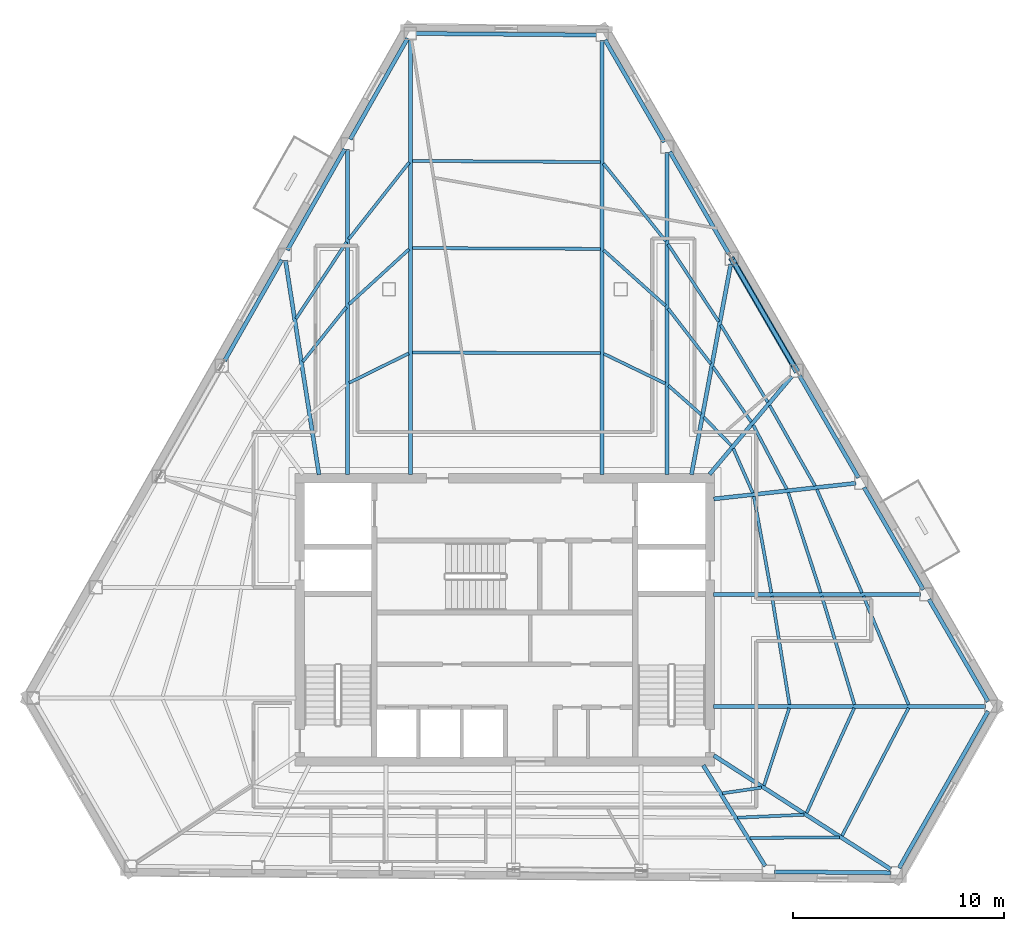
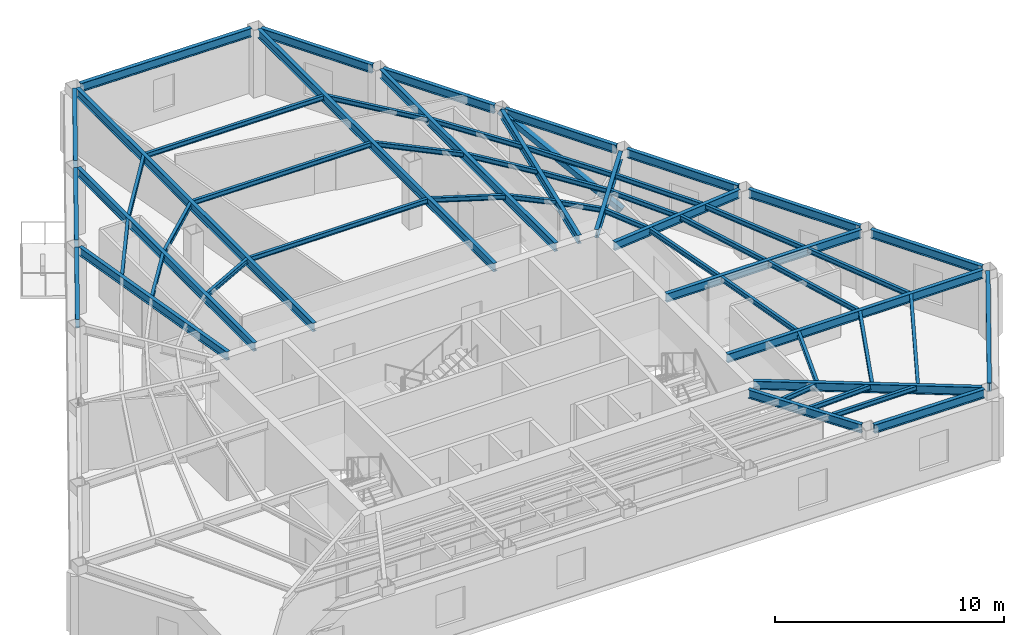
# One storey, part 2 of 9: 56 beams, 1 member.
"""IFC4 building model written with IfcOpenShell, lengths in metres."""

from ifc_helpers import new_model, si_unit, direction, frame, origin, origin_2d, place, context, subcontext, project, spatial, hollow_rectangle, i_section, extrude, material, material_profile, profile_set, type_object, element, save


model = new_model("IFC4")

# Units and contexts
model_context = context("Model", 3, precision=1e-05, world=origin(), true_north=direction((0.0, 1.0)))
body_context = subcontext(model_context, "Body", "Model", "MODEL_VIEW")
ifc_project = project(units=[si_unit("LENGTHUNIT", "METRE"), si_unit("AREAUNIT", "SQUARE_METRE"), si_unit("VOLUMEUNIT", "CUBIC_METRE"), si_unit("PLANEANGLEUNIT", "RADIAN"), si_unit("MASSUNIT", "GRAM", prefix="KILO")], contexts=[model_context])

# Site, building, storey
site_placement = place(None, origin())
site = spatial("IfcSite", under=ifc_project, at=site_placement, CompositionType="ELEMENT")
building_placement = place(site_placement, origin())
building = spatial("IfcBuilding", under=site, at=building_placement, Name="Kavelnor Concourse Tower", CompositionType="ELEMENT")
storey_placement = place(building_placement, frame((0.0, 0.0, 176.550048828125)))
storey = spatial("IfcBuildingStorey", under=building, at=storey_placement, Name="L44", CompositionType="ELEMENT", Elevation=176.550048828125)

# Beams
ifc_material = material(Name="Steel Grade 350", Category="steel")
ifc_material_profile_1 = material_profile(ifc_material, i_section(OverallWidth=0.14599609375, OverallDepth=0.256103515625, WebThickness=0.00634765625, FlangeThickness=0.010986328125, at=origin_2d()), Name="250UB37")
ifc_profile_set_1 = profile_set([ifc_material_profile_1], Name="Steel Grade 350")
beam_type_1 = type_object("IfcBeamType", Name="BM-JOIST-250", PredefinedType="JOIST", material=ifc_profile_set_1)
beam_1_placement = place(storey_placement, frame((48.335693359375, 7.865966796875, 3.471923828125), z_axis=(0.989639682961, 0.143573318934, 0.0), x_axis=(-0.143573318934, 0.989639682961, 0.0)))
element("IfcBeam", 1, at=beam_1_placement, inside=storey, type_object=beam_type_1, Name="L44 Secondary Composite Joist 07-1", PredefinedType="JOIST", context=body_context, shape_type="SweptSolid", body=[
    extrude(i_section(OverallWidth=0.14599609375, OverallDepth=0.256103515625, WebThickness=0.00634765625, FlangeThickness=0.010986328125, at=origin_2d()), origin(), (0.0, 0.0, 1.0), 1.8740234375),
])
beam_2_placement = place(storey_placement, frame((49.04345703125, 6.707763671875, 3.471923828125), z_axis=(0.999022531919, 0.044203854115, 0.0), x_axis=(-0.044203854115, 0.999022531919, 0.0)))
element("IfcBeam", 2, at=beam_2_placement, inside=storey, type_object=beam_type_1, Name="L44 Secondary Composite Joist 07-2", PredefinedType="JOIST", context=body_context, shape_type="SweptSolid", body=[
    extrude(i_section(OverallWidth=0.14599609375, OverallDepth=0.256103515625, WebThickness=0.00634765625, FlangeThickness=0.010986328125, at=origin_2d()), origin(), (0.0, 0.0, 1.0), 3.164794921875),
])
beam_3_placement = place(storey_placement, frame((49.632568359375, 5.746337890625, 3.471923828125), z_axis=(0.999983188548, 0.005798501667, 0.0), x_axis=(-0.005798501667, 0.999983188548, 0.0)))
element("IfcBeam", 3, at=beam_3_placement, inside=storey, type_object=beam_type_1, Name="L44 Secondary Composite Joist 07-3", PredefinedType="JOIST", context=body_context, shape_type="SweptSolid", body=[
    extrude(i_section(OverallWidth=0.14599609375, OverallDepth=0.256103515625, WebThickness=0.00634765625, FlangeThickness=0.010986328125, at=origin_2d()), origin(), (0.0, 0.0, 1.0), 4.25244140625),
])
beam_4_placement = place(storey_placement, frame((50.305908203125, 8.232421875, 3.471923828125), z_axis=(0.310025563702, 0.950728220813, 0.0), x_axis=(-0.950728220813, 0.310025563702, 0.0)))
element("IfcBeam", 4, at=beam_4_placement, inside=storey, type_object=beam_type_1, Name="L44 Secondary Composite Joist 08-1", PredefinedType="JOIST", context=body_context, shape_type="SweptSolid", body=[
    extrude(i_section(OverallWidth=0.14599609375, OverallDepth=0.256103515625, WebThickness=0.00634765625, FlangeThickness=0.010986328125, at=origin_2d()), origin(), (0.0, 0.0, 1.0), 3.86572265625),
])
beam_5_placement = place(storey_placement, frame((52.330810546875, 6.9326171875, 3.471923828125), z_axis=(0.413412679095, 0.910543769823, 0.0), x_axis=(-0.910543769823, 0.413412679095, 0.0)))
element("IfcBeam", 5, at=beam_5_placement, inside=storey, type_object=beam_type_1, Name="L44 Secondary Composite Joist 08-2", PredefinedType="JOIST", context=body_context, shape_type="SweptSolid", body=[
    extrude(i_section(OverallWidth=0.14599609375, OverallDepth=0.256103515625, WebThickness=0.00634765625, FlangeThickness=0.010986328125, at=origin_2d()), origin(), (0.0, 0.0, 1.0), 5.468017578125),
])
beam_6_placement = place(storey_placement, frame((54.01513671875, 5.8505859375, 3.471923828125), z_axis=(0.461263861339, 0.887263010738, 0.0), x_axis=(-0.887263010738, 0.461263861339, 0.0)))
element("IfcBeam", 6, at=beam_6_placement, inside=storey, type_object=beam_type_1, Name="L44 Secondary Composite Joist 08-3", PredefinedType="JOIST", context=body_context, shape_type="SweptSolid", body=[
    extrude(i_section(OverallWidth=0.14599609375, OverallDepth=0.256103515625, WebThickness=0.00634765625, FlangeThickness=0.010986328125, at=origin_2d()), origin(), (0.0, 0.0, 1.0), 6.8330078125),
])
beam_7_placement = place(storey_placement, frame((51.517578125, 12.080322265625, 3.471923828125), z_axis=(-0.159977262741, 0.987120699512, 0.0), x_axis=(-0.987120699512, -0.159977262741, 0.0)))
element("IfcBeam", 7, at=beam_7_placement, inside=storey, type_object=beam_type_1, Name="L44 Secondary Composite Joist 09-1", PredefinedType="JOIST", context=body_context, shape_type="SweptSolid", body=[
    extrude(i_section(OverallWidth=0.14599609375, OverallDepth=0.256103515625, WebThickness=0.00634765625, FlangeThickness=0.010986328125, at=origin_2d()), origin(), (0.0, 0.0, 1.0), 5.2041015625),
])
beam_8_placement = place(storey_placement, frame((54.602294921875, 12.07763671875, 3.471923828125), z_axis=(-0.288256940598, 0.957553098369, 0.0), x_axis=(-0.957553098369, -0.288256940598, 0.0)))
element("IfcBeam", 8, at=beam_8_placement, inside=storey, type_object=beam_type_1, Name="L44 Secondary Composite Joist 09-2", PredefinedType="JOIST", context=body_context, shape_type="SweptSolid", body=[
    extrude(i_section(OverallWidth=0.14599609375, OverallDepth=0.256103515625, WebThickness=0.00634765625, FlangeThickness=0.010986328125, at=origin_2d()), origin(), (0.0, 0.0, 1.0), 5.37060546875),
])
beam_9_placement = place(storey_placement, frame((57.173583984375, 12.074462890625, 3.471923828125), z_axis=(-0.384724155461, 0.92303159437, 0.0), x_axis=(-0.92303159437, -0.384724155461, 0.0)))
element("IfcBeam", 9, at=beam_9_placement, inside=storey, type_object=beam_type_1, Name="L44 Secondary Composite Joist 09-3", PredefinedType="JOIST", context=body_context, shape_type="SweptSolid", body=[
    extrude(i_section(OverallWidth=0.14599609375, OverallDepth=0.256103515625, WebThickness=0.00634765625, FlangeThickness=0.010986328125, at=origin_2d()), origin(), (0.0, 0.0, 1.0), 5.578125),
])
beam_10_placement = place(storey_placement, frame((50.65478515625, 17.392822265625, 3.471923828125), z_axis=(-0.178432297869, 0.983952191459, 0.0), x_axis=(-0.983952191459, -0.178432297869, 0.0)))
element("IfcBeam", 10, at=beam_10_placement, inside=storey, type_object=beam_type_1, Name="L44 Secondary Composite Joist 10-1", PredefinedType="JOIST", context=body_context, shape_type="SweptSolid", body=[
    extrude(i_section(OverallWidth=0.14599609375, OverallDepth=0.256103515625, WebThickness=0.00634765625, FlangeThickness=0.010986328125, at=origin_2d()), origin(), (0.0, 0.0, 1.0), 4.646484375),
])
beam_11_placement = place(storey_placement, frame((53.001220703125, 17.389892578125, 3.471923828125), z_axis=(-0.308807900887, 0.951124429478, 0.0), x_axis=(-0.951124429478, -0.308807900887, 0.0)))
element("IfcBeam", 11, at=beam_11_placement, inside=storey, type_object=beam_type_1, Name="L44 Secondary Composite Joist 10-2", PredefinedType="JOIST", context=body_context, shape_type="SweptSolid", body=[
    extrude(i_section(OverallWidth=0.14599609375, OverallDepth=0.256103515625, WebThickness=0.00634765625, FlangeThickness=0.010986328125, at=origin_2d()), origin(), (0.0, 0.0, 1.0), 5.001220703125),
])
beam_12_placement = place(storey_placement, frame((54.957763671875, 17.386962890625, 3.471923828125), z_axis=(-0.399920103809, 0.916550004402, 0.0), x_axis=(-0.916550004402, -0.399920103809, 0.0)))
element("IfcBeam", 12, at=beam_12_placement, inside=storey, type_object=beam_type_1, Name="L44 Secondary Composite Joist 10-3", PredefinedType="JOIST", context=body_context, shape_type="SweptSolid", body=[
    extrude(i_section(OverallWidth=0.14599609375, OverallDepth=0.256103515625, WebThickness=0.00634765625, FlangeThickness=0.010986328125, at=origin_2d()), origin(), (0.0, 0.0, 1.0), 5.359375),
])
beam_13_placement = place(storey_placement, frame((49.773681640625, 22.1337890625, 3.471923828125), z_axis=(-0.40325983142, 0.915085519699, 0.0), x_axis=(-0.915085519699, -0.40325983142, 0.0)))
element("IfcBeam", 13, at=beam_13_placement, inside=storey, type_object=beam_type_1, Name="L44 Secondary Composite Joist 11-1", PredefinedType="JOIST", context=body_context, shape_type="SweptSolid", body=[
    extrude(i_section(OverallWidth=0.14599609375, OverallDepth=0.256103515625, WebThickness=0.00634765625, FlangeThickness=0.010986328125, at=origin_2d()), origin(), (0.0, 0.0, 1.0), 2.29150390625),
])
beam_14_placement = place(storey_placement, frame((51.387939453125, 22.310302734375, 3.471923828125), z_axis=(-0.464793475424, 0.885419124033, 0.0), x_axis=(-0.885419124033, -0.464793475424, 0.0)))
element("IfcBeam", 14, at=beam_14_placement, inside=storey, type_object=beam_type_1, Name="L44 Secondary Composite Joist 11-2", PredefinedType="JOIST", context=body_context, shape_type="SweptSolid", body=[
    extrude(i_section(OverallWidth=0.14599609375, OverallDepth=0.256103515625, WebThickness=0.00634765625, FlangeThickness=0.010986328125, at=origin_2d()), origin(), (0.0, 0.0, 1.0), 3.4326171875),
])
beam_15_placement = place(storey_placement, frame((52.735107421875, 22.4580078125, 3.471923828125), z_axis=(-0.491641293626, 0.870797817178, 0.0), x_axis=(-0.870797817178, -0.491641293626, 0.0)))
element("IfcBeam", 15, at=beam_15_placement, inside=storey, type_object=beam_type_1, Name="L44 Secondary Composite Joist 11-3", PredefinedType="JOIST", context=body_context, shape_type="SweptSolid", body=[
    extrude(i_section(OverallWidth=0.14599609375, OverallDepth=0.256103515625, WebThickness=0.00634765625, FlangeThickness=0.010986328125, at=origin_2d()), origin(), (0.0, 0.0, 1.0), 4.390869140625),
])
beam_16_placement = place(storey_placement, frame((48.751708984375, 24.376220703125, 3.471923828125), z_axis=(-0.693482068822, 0.720473885872, 0.0), x_axis=(-0.720473885872, -0.693482068822, 0.0)))
element("IfcBeam", 16, at=beam_16_placement, inside=storey, type_object=beam_type_1, Name="L44 Secondary Composite Joist 12-1", PredefinedType="JOIST", context=body_context, shape_type="SweptSolid", body=[
    extrude(i_section(OverallWidth=0.14599609375, OverallDepth=0.256103515625, WebThickness=0.00634765625, FlangeThickness=0.010986328125, at=origin_2d()), origin(), (0.0, 0.0, 1.0), 1.88134765625),
])
beam_17_placement = place(storey_placement, frame((49.700439453125, 25.501708984375, 3.471923828125), z_axis=(-0.570289519973, 0.821443767649, 0.0), x_axis=(-0.821443767649, -0.570289519973, 0.0)))
element("IfcBeam", 17, at=beam_17_placement, inside=storey, type_object=beam_type_1, Name="L44 Secondary Composite Joist 12-2", PredefinedType="JOIST", context=body_context, shape_type="SweptSolid", body=[
    extrude(i_section(OverallWidth=0.14599609375, OverallDepth=0.256103515625, WebThickness=0.00634765625, FlangeThickness=0.010986328125, at=origin_2d()), origin(), (0.0, 0.0, 1.0), 3.185546875),
])
beam_18_placement = place(storey_placement, frame((50.486328125, 26.43505859375, 3.471923828125), z_axis=(-0.519260924953, 0.854615756827, 0.0), x_axis=(-0.854615756827, -0.519260924953, 0.0)))
element("IfcBeam", 18, at=beam_18_placement, inside=storey, type_object=beam_type_1, Name="L44 Secondary Composite Joist 12-3", PredefinedType="JOIST", context=body_context, shape_type="SweptSolid", body=[
    extrude(i_section(OverallWidth=0.14599609375, OverallDepth=0.256103515625, WebThickness=0.00634765625, FlangeThickness=0.010986328125, at=origin_2d()), origin(), (0.0, 0.0, 1.0), 4.302490234375),
])
beam_19_placement = place(storey_placement, frame((47.318603515625, 25.854736328125, 3.471923828125), z_axis=(-0.749534694484, 0.661965060834, 0.0), x_axis=(-0.661965060834, -0.749534694484, 0.0)))
element("IfcBeam", 19, at=beam_19_placement, inside=storey, type_object=beam_type_1, Name="L44 Secondary Composite Joist 13-1", PredefinedType="JOIST", context=body_context, shape_type="SweptSolid", body=[
    extrude(i_section(OverallWidth=0.14599609375, OverallDepth=0.256103515625, WebThickness=0.00634765625, FlangeThickness=0.010986328125, at=origin_2d()), origin(), (0.0, 0.0, 1.0), 2.068603515625),
])
beam_20_placement = place(storey_placement, frame((47.778564453125, 28.261962890625, 3.471923828125), z_axis=(-0.610878722657, 0.791724185689, 0.0), x_axis=(-0.791724185689, -0.610878722657, 0.0)))
element("IfcBeam", 20, at=beam_20_placement, inside=storey, type_object=beam_type_1, Name="L44 Secondary Composite Joist 13-2", PredefinedType="JOIST", context=body_context, shape_type="SweptSolid", body=[
    extrude(i_section(OverallWidth=0.14599609375, OverallDepth=0.256103515625, WebThickness=0.00634765625, FlangeThickness=0.010986328125, at=origin_2d()), origin(), (0.0, 0.0, 1.0), 3.3115234375),
])
beam_21_placement = place(storey_placement, frame((48.1572265625, 30.262451171875, 3.471923828125), z_axis=(-0.547758167034, 0.836636713543, 0.0), x_axis=(-0.836636713543, -0.547758167034, 0.0)))
element("IfcBeam", 21, at=beam_21_placement, inside=storey, type_object=beam_type_1, Name="L44 Secondary Composite Joist 13-3", PredefinedType="JOIST", context=body_context, shape_type="SweptSolid", body=[
    extrude(i_section(OverallWidth=0.14599609375, OverallDepth=0.256103515625, WebThickness=0.00634765625, FlangeThickness=0.010986328125, at=origin_2d()), origin(), (0.0, 0.0, 1.0), 4.394775390625),
])
beam_22_placement = place(storey_placement, frame((45.62109375, 27.32177734375, 3.471923828125), z_axis=(-0.900215499327, 0.435444663271, 0.0), x_axis=(-0.435444663271, -0.900215499327, 0.0)))
element("IfcBeam", 22, at=beam_22_placement, inside=storey, type_object=beam_type_1, Name="L44 Secondary Composite Joist 14-1", PredefinedType="JOIST", context=body_context, shape_type="SweptSolid", body=[
    extrude(i_section(OverallWidth=0.14599609375, OverallDepth=0.256103515625, WebThickness=0.00634765625, FlangeThickness=0.010986328125, at=origin_2d()), origin(), (0.0, 0.0, 1.0), 3.238525390625),
])
beam_23_placement = place(storey_placement, frame((45.635009765625, 31.013916015625, 3.471923828125), z_axis=(-0.743953537187, 0.668231348043, 0.0), x_axis=(-0.668231348043, -0.743953537187, 0.0)))
element("IfcBeam", 23, at=beam_23_placement, inside=storey, type_object=beam_type_1, Name="L44 Secondary Composite Joist 14-2", PredefinedType="JOIST", context=body_context, shape_type="SweptSolid", body=[
    extrude(i_section(OverallWidth=0.14599609375, OverallDepth=0.256103515625, WebThickness=0.00634765625, FlangeThickness=0.010986328125, at=origin_2d()), origin(), (0.0, 0.0, 1.0), 3.9560546875),
])
beam_24_placement = place(storey_placement, frame((45.6455078125, 34.0830078125, 3.471923828125), z_axis=(-0.626612848572, 0.779330698743, 0.0), x_axis=(-0.779330698743, -0.626612848572, 0.0)))
element("IfcBeam", 24, at=beam_24_placement, inside=storey, type_object=beam_type_1, Name="L44 Secondary Composite Joist 14-3", PredefinedType="JOIST", context=body_context, shape_type="SweptSolid", body=[
    extrude(i_section(OverallWidth=0.14599609375, OverallDepth=0.256103515625, WebThickness=0.00634765625, FlangeThickness=0.010986328125, at=origin_2d()), origin(), (0.0, 0.0, 1.0), 4.73046875),
])
for number, where, z_axis, x_axis, name in (
    (25, (42.53662109375, 28.77099609375, 3.471923828125), (-0.99999723729, 0.002350619428, 0.0), (-0.002350619428, -0.99999723729, 0.0), "L44 Secondary Composite Joist 15-1"),
    (26, (42.53662109375, 33.71728515625, 3.471923828125), (-0.999990437446, 0.004373215711, 0.0), (-0.004373215711, -0.999990437446, 0.0), "L44 Secondary Composite Joist 15-2"),
):
    element("IfcBeam", number, at=place(storey_placement, frame(where, z_axis=z_axis, x_axis=x_axis)), inside=storey, type_object=beam_type_1, Name=name, PredefinedType="JOIST", context=body_context, shape_type="SweptSolid", body=[
        extrude(i_section(OverallWidth=0.14599609375, OverallDepth=0.256103515625, WebThickness=0.00634765625, FlangeThickness=0.010986328125, at=origin_2d()), origin(), (0.0, 0.0, 1.0), 8.93212890625),
    ])
beam_25_placement = place(storey_placement, frame((42.53662109375, 37.83935546875, 3.471923828125), z_axis=(-0.999981590835, 0.006067783118, 0.0), x_axis=(-0.006067783118, -0.999981590835, 0.0)))
element("IfcBeam", 27, at=beam_25_placement, inside=storey, type_object=beam_type_1, Name="L44 Secondary Composite Joist 15-3", PredefinedType="JOIST", context=body_context, shape_type="SweptSolid", body=[
    extrude(i_section(OverallWidth=0.14599609375, OverallDepth=0.256103515625, WebThickness=0.00634765625, FlangeThickness=0.010986328125, at=origin_2d()), origin(), (0.0, 0.0, 1.0), 8.932373046875),
])
beam_26_placement = place(storey_placement, frame((33.435546875, 28.752685546875, 3.471923828125), z_axis=(-0.896877185071, -0.4422796795, 0.0), x_axis=(0.4422796795, -0.896877185071, 0.0)))
element("IfcBeam", 28, at=beam_26_placement, inside=storey, type_object=beam_type_1, Name="L44 Secondary Composite Joist 16-1", PredefinedType="JOIST", context=body_context, shape_type="SweptSolid", body=[
    extrude(i_section(OverallWidth=0.14599609375, OverallDepth=0.256103515625, WebThickness=0.00634765625, FlangeThickness=0.010986328125, at=origin_2d()), origin(), (0.0, 0.0, 1.0), 3.1513671875),
])
beam_27_placement = place(storey_placement, frame((33.44970703125, 33.69677734375, 3.471923828125), z_axis=(-0.737423715845, -0.675430428179, 0.0), x_axis=(0.675430428179, -0.737423715845, 0.0)))
element("IfcBeam", 29, at=beam_27_placement, inside=storey, type_object=beam_type_1, Name="L44 Secondary Composite Joist 16-2", PredefinedType="JOIST", context=body_context, shape_type="SweptSolid", body=[
    extrude(i_section(OverallWidth=0.14599609375, OverallDepth=0.256103515625, WebThickness=0.00634765625, FlangeThickness=0.010986328125, at=origin_2d()), origin(), (0.0, 0.0, 1.0), 3.871337890625),
])
beam_28_placement = place(storey_placement, frame((33.460205078125, 37.82421875, 3.471923828125), z_axis=(-0.619160144524, -0.785264742257, 0.0), x_axis=(0.785264742257, -0.619160144524, 0.0)))
element("IfcBeam", 30, at=beam_28_placement, inside=storey, type_object=beam_type_1, Name="L44 Secondary Composite Joist 16-3", PredefinedType="JOIST", context=body_context, shape_type="SweptSolid", body=[
    extrude(i_section(OverallWidth=0.14599609375, OverallDepth=0.256103515625, WebThickness=0.00634765625, FlangeThickness=0.010986328125, at=origin_2d()), origin(), (0.0, 0.0, 1.0), 4.64453125),
])
beam_29_placement = place(storey_placement, frame((30.473876953125, 30.952392578125, 3.471923828125), z_axis=(-0.623465775771, -0.78185064203, 0.0), x_axis=(0.78185064203, -0.623465775771, 0.0)))
element("IfcBeam", 31, at=beam_29_placement, inside=storey, type_object=beam_type_1, Name="L44 Secondary Composite Joist 17-2", PredefinedType="JOIST", context=body_context, shape_type="SweptSolid", body=[
    extrude(i_section(OverallWidth=0.14599609375, OverallDepth=0.256103515625, WebThickness=0.00634765625, FlangeThickness=0.010986328125, at=origin_2d()), origin(), (0.0, 0.0, 1.0), 3.3203125),
])
beam_30_placement = place(storey_placement, frame((30.48046875, 34.032958984375, 3.471923828125), z_axis=(-0.550817242857, -0.834625883239, 0.0), x_axis=(0.834625883239, -0.550817242857, 0.0)))
element("IfcBeam", 32, at=beam_30_placement, inside=storey, type_object=beam_type_1, Name="L44 Secondary Composite Joist 17-3", PredefinedType="JOIST", context=body_context, shape_type="SweptSolid", body=[
    extrude(i_section(OverallWidth=0.14599609375, OverallDepth=0.256103515625, WebThickness=0.00634765625, FlangeThickness=0.010986328125, at=origin_2d()), origin(), (0.0, 0.0, 1.0), 4.359619140625),
])
ifc_material_profile_2 = material_profile(ifc_material, i_section(OverallWidth=0.18994140625, OverallDepth=0.4541015625, WebThickness=0.008544921875, FlangeThickness=0.0126953125, at=origin_2d()), Name="460UB67")
ifc_profile_set_2 = profile_set([ifc_material_profile_2], Name="Steel Grade 350")
beam_type_2 = type_object("IfcBeamType", Name="BM-PRIMARY-460", PredefinedType="BEAM", material=ifc_profile_set_2)
beam_31_placement = place(storey_placement, frame((33.515380859375, 23.0, 3.373046875), z_axis=(0.0, 1.0, 0.0), x_axis=(-1.0, 0.0, 0.0)))
element("IfcBeam", 33, at=beam_31_placement, inside=storey, type_object=beam_type_2, Name="L44 Primary Floor Girder F0-B0", PredefinedType="BEAM", context=body_context, shape_type="SweptSolid", body=[
    extrude(i_section(OverallWidth=0.18994140625, OverallDepth=0.4541015625, WebThickness=0.008544921875, FlangeThickness=0.0126953125, at=origin_2d()), origin(), (0.0, 0.0, 1.0), 20.686279296875),
])
beam_32_placement = place(storey_placement, frame((30.529296875, 23.0, 3.373046875), z_axis=(0.0, 1.0, 0.0), x_axis=(-1.0, 0.0, 0.0)))
element("IfcBeam", 34, at=beam_32_placement, inside=storey, type_object=beam_type_2, Name="L44 Primary Floor Girder F0-B1", PredefinedType="BEAM", context=body_context, shape_type="SweptSolid", body=[
    extrude(i_section(OverallWidth=0.18994140625, OverallDepth=0.4541015625, WebThickness=0.008544921875, FlangeThickness=0.0126953125, at=origin_2d()), origin(), (0.0, 0.0, 1.0), 15.4267578125),
])
beam_33_placement = place(storey_placement, frame((29.17626953125, 23.00048828125, 3.373046875), z_axis=(-0.154714865414, 0.987959164348, 0.0), x_axis=(-0.987959164348, -0.154714865414, 0.0)))
element("IfcBeam", 35, at=beam_33_placement, inside=storey, type_object=beam_type_2, Name="L44 Primary Floor Girder F0-B2", PredefinedType="BEAM", context=body_context, shape_type="SweptSolid", body=[
    extrude(i_section(OverallWidth=0.18994140625, OverallDepth=0.4541015625, WebThickness=0.008544921875, FlangeThickness=0.0126953125, at=origin_2d()), origin(), (0.0, 0.0, 1.0), 10.290283203125),
])
beam_34_placement = place(storey_placement, frame((47.423095703125, 9.194091796875, 3.373046875), z_axis=(0.523813934527, -0.851832707752, 0.0), x_axis=(0.851832707752, 0.523813934527, 0.0)))
element("IfcBeam", 36, at=beam_34_placement, inside=storey, type_object=beam_type_2, Name="L44 Primary Floor Girder F1-B5", PredefinedType="BEAM", context=body_context, shape_type="SweptSolid", body=[
    extrude(i_section(OverallWidth=0.18994140625, OverallDepth=0.4541015625, WebThickness=0.008544921875, FlangeThickness=0.0126953125, at=origin_2d()), origin(), (0.0, 0.0, 1.0), 5.622314453125),
])
beam_35_placement = place(storey_placement, frame((47.926513671875, 9.659912109375, 3.373046875), z_axis=(0.841132399359, -0.540829258407, 0.0), x_axis=(0.540829258407, 0.841132399359, 0.0)))
element("IfcBeam", 37, at=beam_35_placement, inside=storey, type_object=beam_type_2, Name="L44 Primary Floor Girder F1-B6", PredefinedType="BEAM", context=body_context, shape_type="SweptSolid", body=[
    extrude(i_section(OverallWidth=0.18994140625, OverallDepth=0.4541015625, WebThickness=0.008544921875, FlangeThickness=0.0126953125, at=origin_2d()), origin(), (0.0, 0.0, 1.0), 9.98583984375),
])
beam_36_placement = place(storey_placement, frame((47.919921875, 11.992431640625, 3.373046875), z_axis=(1.0, 0.0, 0.0), x_axis=(0.0, 1.0, 0.0)))
element("IfcBeam", 38, at=beam_36_placement, inside=storey, type_object=beam_type_2, Name="L44 Primary Floor Girder F2-B0", PredefinedType="BEAM", context=body_context, shape_type="SweptSolid", body=[
    extrude(i_section(OverallWidth=0.18994140625, OverallDepth=0.4541015625, WebThickness=0.008544921875, FlangeThickness=0.0126953125, at=origin_2d()), origin(), (0.0, 0.0, 1.0), 12.89990234375),
])
beam_37_placement = place(storey_placement, frame((47.919921875, 17.305419921875, 3.373046875), z_axis=(1.0, 0.0, 0.0), x_axis=(0.0, 1.0, 0.0)))
element("IfcBeam", 39, at=beam_37_placement, inside=storey, type_object=beam_type_2, Name="L44 Primary Floor Girder F2-B1", PredefinedType="BEAM", context=body_context, shape_type="SweptSolid", body=[
    extrude(i_section(OverallWidth=0.18994140625, OverallDepth=0.4541015625, WebThickness=0.008544921875, FlangeThickness=0.0126953125, at=origin_2d()), origin(), (0.0, 0.0, 1.0), 9.82421875),
])
beam_38_placement = place(storey_placement, frame((47.920166015625, 21.84375, 3.373046875), z_axis=(0.993951084581, 0.109823683513, 0.0), x_axis=(-0.109823683513, 0.993951084581, 0.0)))
element("IfcBeam", 40, at=beam_38_placement, inside=storey, type_object=beam_type_2, Name="L44 Primary Floor Girder F2-B2", PredefinedType="BEAM", context=body_context, shape_type="SweptSolid", body=[
    extrude(i_section(OverallWidth=0.18994140625, OverallDepth=0.4541015625, WebThickness=0.008544921875, FlangeThickness=0.0126953125, at=origin_2d()), origin(), (0.0, 0.0, 1.0), 6.7890625),
])
beam_39_placement = place(storey_placement, frame((47.719482421875, 23.009521484375, 3.373046875), z_axis=(0.643140250005, 0.765748404389, 0.0), x_axis=(-0.765748404389, 0.643140250005, 0.0)))
element("IfcBeam", 41, at=beam_39_placement, inside=storey, type_object=beam_type_2, Name="L44 Primary Floor Girder F2-B3", PredefinedType="BEAM", context=body_context, shape_type="SweptSolid", body=[
    extrude(i_section(OverallWidth=0.18994140625, OverallDepth=0.4541015625, WebThickness=0.008544921875, FlangeThickness=0.0126953125, at=origin_2d()), origin(), (0.0, 0.0, 1.0), 6.0751953125),
])
beam_40_placement = place(storey_placement, frame((46.863037109375, 23.000732421875, 3.373046875), z_axis=(0.183673049958, 0.982987390926, 0.0), x_axis=(-0.982987390926, 0.183673049958, 0.0)))
element("IfcBeam", 42, at=beam_40_placement, inside=storey, type_object=beam_type_2, Name="L44 Primary Floor Girder F2-B4", PredefinedType="BEAM", context=body_context, shape_type="SweptSolid", body=[
    extrude(i_section(OverallWidth=0.18994140625, OverallDepth=0.4541015625, WebThickness=0.008544921875, FlangeThickness=0.0126953125, at=origin_2d()), origin(), (0.0, 0.0, 1.0), 10.1552734375),
])
beam_41_placement = place(storey_placement, frame((45.701416015625, 23.0, 3.373046875), z_axis=(0.0, 1.0, 0.0), x_axis=(-1.0, 0.0, 0.0)))
element("IfcBeam", 43, at=beam_41_placement, inside=storey, type_object=beam_type_2, Name="L44 Primary Floor Girder F2-B5", PredefinedType="BEAM", context=body_context, shape_type="SweptSolid", body=[
    extrude(i_section(OverallWidth=0.18994140625, OverallDepth=0.4541015625, WebThickness=0.008544921875, FlangeThickness=0.0126953125, at=origin_2d()), origin(), (0.0, 0.0, 1.0), 15.296630859375),
])
beam_42_placement = place(storey_placement, frame((42.62548828125, 23.0, 3.373046875), z_axis=(0.0, 1.0, 0.0), x_axis=(-1.0, 0.0, 0.0)))
element("IfcBeam", 44, at=beam_42_placement, inside=storey, type_object=beam_type_2, Name="L44 Primary Floor Girder F2-B6", PredefinedType="BEAM", context=body_context, shape_type="SweptSolid", body=[
    extrude(i_section(OverallWidth=0.18994140625, OverallDepth=0.4541015625, WebThickness=0.008544921875, FlangeThickness=0.0126953125, at=origin_2d()), origin(), (0.0, 0.0, 1.0), 20.609619140625),
])
ifc_material_profile_3 = material_profile(ifc_material, i_section(OverallWidth=0.19091796875, OverallDepth=0.4599609375, WebThickness=0.010009765625, FlangeThickness=0.01611328125, at=origin_2d()), Name="460UB82")
ifc_profile_set_3 = profile_set([ifc_material_profile_3], Name="Steel Grade 350")
beam_type_3 = type_object("IfcBeamType", Name="BM-SPANDREL-Z3", PredefinedType="SPANDREL", material=ifc_profile_set_3)
for number, where, z_axis, x_axis, name in (
    (45, (33.384521484375, 43.7158203125, 3.369873046875), (-0.493721283394, -0.869620201193, 0.0), (0.869620201193, -0.493721283394, 0.0), "L44 Perimeter Tube Spandrel Beam F0-B0"),
    (46, (30.398681640625, 38.456298828125, 3.369873046875), (-0.493721283394, -0.869620201193, 0.0), (0.869620201193, -0.493721283394, 0.0), "L44 Perimeter Tube Spandrel Beam F0-B1"),
    (47, (27.41259765625, 33.19677734375, 3.369873046875), (-0.493721283394, -0.869620201193, 0.0), (0.869620201193, -0.493721283394, 0.0), "L44 Perimeter Tube Spandrel Beam F0-B2"),
):
    element("IfcBeam", number, at=place(storey_placement, frame(where, z_axis=z_axis, x_axis=x_axis)), inside=storey, type_object=beam_type_3, Name=name, PredefinedType="SPANDREL", context=body_context, shape_type="SweptSolid", body=[
        extrude(i_section(OverallWidth=0.19091796875, OverallDepth=0.4599609375, WebThickness=0.010009765625, FlangeThickness=0.01611328125, at=origin_2d()), origin(), (0.0, 0.0, 1.0), 5.51806640625),
    ])
beam_43_placement = place(storey_placement, frame((42.360595703125, 43.87158203125, 3.369873046875), z_axis=(-0.99996429268, 0.008450642924, 0.0), x_axis=(-0.008450642924, -0.99996429268, 0.0)))
element("IfcBeam", 48, at=beam_43_placement, inside=storey, type_object=beam_type_3, Name="L44 Chamfer Facet Spandrel Beam C0", PredefinedType="SPANDREL", context=body_context, shape_type="SweptSolid", body=[
    extrude(i_section(OverallWidth=0.19091796875, OverallDepth=0.4599609375, WebThickness=0.010009765625, FlangeThickness=0.01611328125, at=origin_2d()), origin(), (0.0, 0.0, 1.0), 8.580322265625),
])
beam_44_placement = place(storey_placement, frame((50.796630859375, 4.13671875, 3.369873046875), z_axis=(0.999964459479, -0.008430882483, 0.0), x_axis=(0.008430882483, 0.999964459479, 0.0)))
element("IfcBeam", 49, at=beam_44_placement, inside=storey, type_object=beam_type_3, Name="L44 Perimeter Tube Spandrel Beam F1-B5", PredefinedType="SPANDREL", context=body_context, shape_type="SweptSolid", body=[
    extrude(i_section(OverallWidth=0.19091796875, OverallDepth=0.4599609375, WebThickness=0.010009765625, FlangeThickness=0.01611328125, at=origin_2d()), origin(), (0.0, 0.0, 1.0), 5.531005859375),
])
for number, where, z_axis, x_axis, name in (
    (50, (60.947021484375, 12.2216796875, 3.369873046875), (-0.500996806663, 0.865449131788, 0.0), (-0.865449131788, -0.500996806663, 0.0), "L44 Perimeter Tube Spandrel Beam F2-B0"),
    (51, (57.871337890625, 17.53466796875, 3.369873046875), (-0.500996806663, 0.865449131788, 0.0), (-0.865449131788, -0.500996806663, 0.0), "L44 Perimeter Tube Spandrel Beam F2-B1"),
    (52, (54.795654296875, 22.847412109375, 3.369873046875), (-0.500996806663, 0.865449131788, 0.0), (-0.865449131788, -0.500996806663, 0.0), "L44 Perimeter Tube Spandrel Beam F2-B2"),
):
    element("IfcBeam", number, at=place(storey_placement, frame(where, z_axis=z_axis, x_axis=x_axis)), inside=storey, type_object=beam_type_3, Name=name, PredefinedType="SPANDREL", context=body_context, shape_type="SweptSolid", body=[
        extrude(i_section(OverallWidth=0.19091796875, OverallDepth=0.4599609375, WebThickness=0.010009765625, FlangeThickness=0.01611328125, at=origin_2d()), origin(), (0.0, 0.0, 1.0), 5.60888671875),
    ])
beam_45_placement = place(storey_placement, frame((51.719970703125, 28.160400390625, 3.369873046875), z_axis=(-0.501015680046, 0.865438205967, 0.0), x_axis=(-0.865438205967, -0.501015680046, 0.0)))
element("IfcBeam", 53, at=beam_45_placement, inside=storey, type_object=beam_type_3, Name="L44 Perimeter Tube Spandrel Beam F2-B3", PredefinedType="SPANDREL", context=body_context, shape_type="SweptSolid", body=[
    extrude(i_section(OverallWidth=0.19091796875, OverallDepth=0.4599609375, WebThickness=0.010009765625, FlangeThickness=0.01611328125, at=origin_2d()), origin(), (0.0, 0.0, 1.0), 5.608642578125),
])
for number, where, z_axis, x_axis, name in (
    (54, (48.644287109375, 33.47314453125, 3.369873046875), (-0.501029407483, 0.865430258795, 0.0), (-0.865430258795, -0.501029407483, 0.0), "L44 Perimeter Tube Spandrel Beam F2-B4"),
    (55, (45.568603515625, 38.785888671875, 3.369873046875), (-0.501029407483, 0.865430258795, 0.0), (-0.865430258795, -0.501029407483, 0.0), "L44 Perimeter Tube Spandrel Beam F2-B5"),
):
    element("IfcBeam", number, at=place(storey_placement, frame(where, z_axis=z_axis, x_axis=x_axis)), inside=storey, type_object=beam_type_3, Name=name, PredefinedType="SPANDREL", context=body_context, shape_type="SweptSolid", body=[
        extrude(i_section(OverallWidth=0.19091796875, OverallDepth=0.4599609375, WebThickness=0.010009765625, FlangeThickness=0.01611328125, at=origin_2d()), origin(), (0.0, 0.0, 1.0), 5.609130859375),
    ])
beam_46_placement = place(storey_placement, frame((56.72314453125, 4.318603515625, 3.369873046875), z_axis=(0.493734955311, 0.869612438909, 0.0), x_axis=(-0.869612438909, 0.493734955311, 0.0)))
element("IfcBeam", 56, at=beam_46_placement, inside=storey, type_object=beam_type_3, Name="L44 Chamfer Facet Spandrel Beam C2", PredefinedType="SPANDREL", context=body_context, shape_type="SweptSolid", body=[
    extrude(i_section(OverallWidth=0.19091796875, OverallDepth=0.4599609375, WebThickness=0.010009765625, FlangeThickness=0.01611328125, at=origin_2d()), origin(), (0.0, 0.0, 1.0), 8.559326171875),
])

# Member
ifc_material_profile_4 = material_profile(ifc_material, hollow_rectangle(XDim=0.280029296875, YDim=0.280029296875, WallThickness=0.01611328125, at=origin_2d()), Name="SHS 280x280x16")
ifc_profile_set_4 = profile_set([ifc_material_profile_4], Name="Steel Grade 350")
member_type = type_object("IfcMemberType", Name="MBR-TUBE-DIAG-Z3", PredefinedType="BRACE", material=ifc_profile_set_4)
member_placement = place(storey_placement, frame((51.852783203125, 27.930908203125, 0.219970703125), z_axis=(-0.445753310768, 0.77000186926, 0.456509701185), x_axis=(-0.86544443656, -0.501004917369, 0.0)))
element("IfcMember", 57, at=member_placement, inside=storey, type_object=member_type, Name="L44 Framed-Tube Bracing Diagonal F2-B3", PredefinedType="BRACE", context=body_context, shape_type="SweptSolid", body=[
    extrude(hollow_rectangle(XDim=0.280029296875, YDim=0.280029296875, WallThickness=0.01611328125, at=origin_2d()), origin(), (0.0, 0.0, 1.0), 6.89990234375),
])

save(model, "model.ifc")
